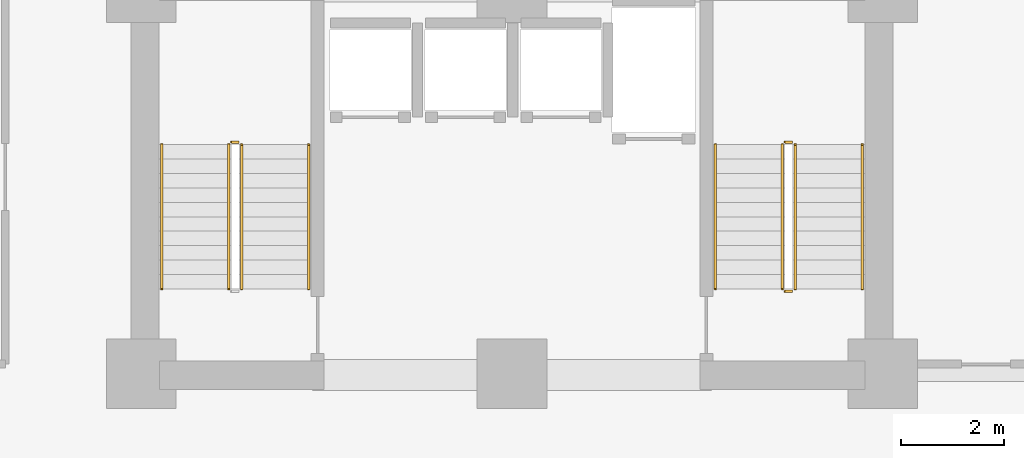
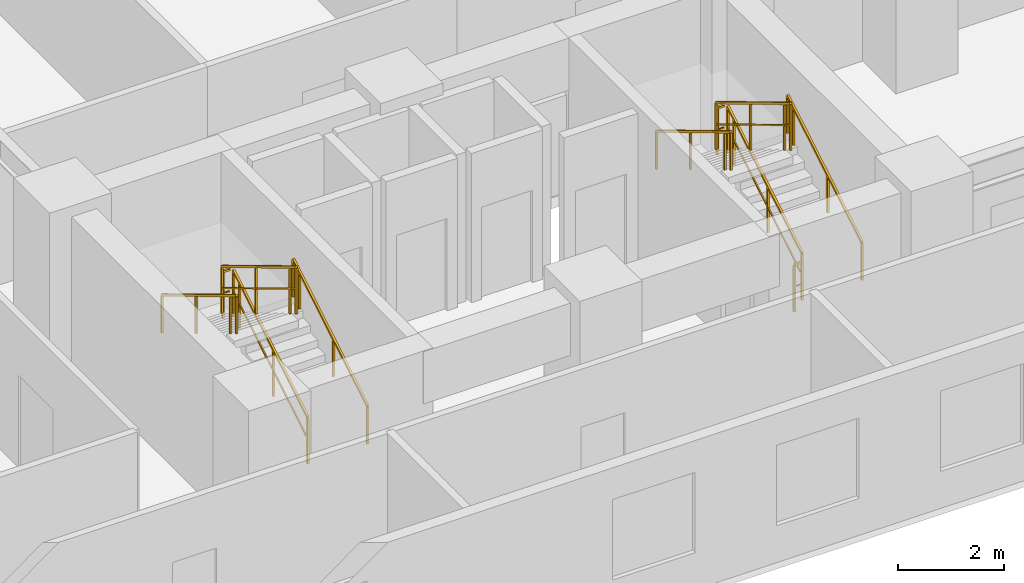
# One storey, part 16 of 17: 11 railings.
"""IFC4 building model written with IfcOpenShell, lengths in metres."""

from ifc_helpers import new_model, si_unit, direction, frame, origin, origin_2d, place, context, subcontext, project, spatial, rectangle, extrude, material, type_object, element, save


model = new_model("IFC4")

# Units and contexts
model_context = context("Model", 3, precision=1e-05, world=origin(), true_north=direction((0.0, 1.0)))
body_context = subcontext(model_context, "Body", "Model", "MODEL_VIEW")
ifc_project = project(units=[si_unit("LENGTHUNIT", "METRE"), si_unit("AREAUNIT", "SQUARE_METRE"), si_unit("VOLUMEUNIT", "CUBIC_METRE"), si_unit("PLANEANGLEUNIT", "RADIAN"), si_unit("MASSUNIT", "GRAM", prefix="KILO")], contexts=[model_context])

# Site, building, storey
site_placement = place(None, origin())
site = spatial("IfcSite", under=ifc_project, at=site_placement, CompositionType="ELEMENT")
building_placement = place(site_placement, origin())
building = spatial("IfcBuilding", under=site, at=building_placement, Name="Kaliganga Portal Commons", CompositionType="ELEMENT")
storey_placement = place(building_placement, frame((0.0, 0.0, 43.800048828125)))
storey = spatial("IfcBuildingStorey", under=building, at=storey_placement, Name="L10", CompositionType="ELEMENT", Elevation=43.800048828125)

# Railings
ifc_material_1 = material(Name="Galvanized Painted Steel Balustrade", Category="steel")
railing_type_1 = type_object("IfcRailingType", Name="RLG-STAIR-GRD", PredefinedType="GUARDRAIL", material=ifc_material_1)
railing_1_placement = place(storey_placement, frame((37.949951171875, 8.699951171875, 0.168212890625)))
element("IfcRailing", 1, at=railing_1_placement, inside=storey, type_object=railing_type_1, Name="L10 ST-B1 stair guard 1", PredefinedType="GUARDRAIL", context=body_context, shape_type="SweptSolid", body=[
    extrude(rectangle(XDim=0.048095703125, YDim=0.048095703125, at=origin_2d()), frame((0.0, 0.0, 1.072021484375), z_axis=(0.0, 0.857275202839, 0.514858452973), x_axis=(-1.0, 0.0, 0.0)), (0.0, 0.0, 1.0), 3.26611328125),
    extrude(rectangle(XDim=0.028076171875, YDim=0.028076171875, at=origin_2d()), frame((0.0, 0.0, 0.572021484375), z_axis=(0.0, 0.857275202839, 0.514858452973), x_axis=(-1.0, 0.0, 0.0)), (0.0, 0.0, 1.0), 3.26611328125),
    extrude(rectangle(XDim=0.0419921875, YDim=0.0419921875, at=origin_2d()), origin(), (0.0, 0.0, 1.0), 1.052001953125),
    extrude(rectangle(XDim=0.0419921875, YDim=0.0419921875, at=origin_2d()), frame((0.0, 1.285888671875, 0.772216796875)), (0.0, 0.0, 1.0), 1.052001953125),
    extrude(rectangle(XDim=0.0419921875, YDim=0.0419921875, at=origin_2d()), frame((0.0, 2.57177734375, 1.544677734375)), (0.0, 0.0, 1.0), 1.052001953125),
    extrude(rectangle(XDim=0.0419921875, YDim=0.0419921875, at=origin_2d()), frame((0.0, 2.800048828125, 1.681640625)), (0.0, 0.0, 1.0), 1.052001953125),
])
railing_2_placement = place(storey_placement, frame((37.89990234375, 11.550048828125, 1.849853515625)))
element("IfcRailing", 2, at=railing_2_placement, inside=storey, type_object=railing_type_1, Name="L10 ST-B1 stair guard 2", PredefinedType="GUARDRAIL", context=body_context, shape_type="SweptSolid", body=[
    extrude(rectangle(XDim=0.048095703125, YDim=0.048095703125, at=origin_2d()), frame((0.0, 0.0, 1.076171875), z_axis=(-1.0, 0.0, 0.0), x_axis=(0.0, -1.0, 0.0)), (0.0, 0.0, 1.0), 0.14990234375),
    extrude(rectangle(XDim=0.028076171875, YDim=0.028076171875, at=origin_2d()), frame((0.0, 0.0, 0.572021484375), z_axis=(-1.0, 0.0, 0.0), x_axis=(0.0, -1.0, 0.0)), (0.0, 0.0, 1.0), 0.14990234375),
    extrude(rectangle(XDim=0.0419921875, YDim=0.0419921875, at=origin_2d()), frame((-0.14990234375, 0.0, 0.0)), (0.0, 0.0, 1.0), 1.052001953125),
])
railing_3_placement = place(storey_placement, frame((37.699951171875, 11.5, 2.01806640625)))
element("IfcRailing", 3, at=railing_3_placement, inside=storey, type_object=railing_type_1, Name="L10 ST-B1 stair guard 3", PredefinedType="GUARDRAIL", context=body_context, shape_type="SweptSolid", body=[
    extrude(rectangle(XDim=0.048095703125, YDim=0.048095703125, at=origin_2d()), frame((0.0, 0.0, 1.072021484375), z_axis=(0.0, -0.857242210791, 0.514913383045), x_axis=(1.0, 0.0, 0.0)), (0.0, 0.0, 1.0), 3.266357421875),
    extrude(rectangle(XDim=0.028076171875, YDim=0.028076171875, at=origin_2d()), frame((0.0, 0.0, 0.572021484375), z_axis=(0.0, -0.857242210791, 0.514913383045), x_axis=(1.0, 0.0, 0.0)), (0.0, 0.0, 1.0), 3.266357421875),
    extrude(rectangle(XDim=0.0419921875, YDim=0.0419921875, at=origin_2d()), origin(), (0.0, 0.0, 1.0), 1.052001953125),
    extrude(rectangle(XDim=0.0419921875, YDim=0.0419921875, at=origin_2d()), frame((0.0, -1.285888671875, 0.7724609375)), (0.0, 0.0, 1.0), 1.052001953125),
    extrude(rectangle(XDim=0.0419921875, YDim=0.0419921875, at=origin_2d()), frame((0.0, -2.57177734375, 1.544677734375)), (0.0, 0.0, 1.0), 1.052001953125),
    extrude(rectangle(XDim=0.0419921875, YDim=0.0419921875, at=origin_2d()), frame((0.0, -2.800048828125, 1.681884765625)), (0.0, 0.0, 1.0), 1.052001953125),
])
railing_4_placement = place(storey_placement, frame((48.699951171875, 8.699951171875, 0.168212890625)))
element("IfcRailing", 4, at=railing_4_placement, inside=storey, type_object=railing_type_1, Name="L10 ST-B2 stair guard 1", PredefinedType="GUARDRAIL", context=body_context, shape_type="SweptSolid", body=[
    extrude(rectangle(XDim=0.048095703125, YDim=0.048095703125, at=origin_2d()), frame((0.0, 0.0, 1.072021484375), z_axis=(0.0, 0.857275202839, 0.514858452973), x_axis=(-1.0, 0.0, 0.0)), (0.0, 0.0, 1.0), 3.26611328125),
    extrude(rectangle(XDim=0.028076171875, YDim=0.028076171875, at=origin_2d()), frame((0.0, 0.0, 0.572021484375), z_axis=(0.0, 0.857275202839, 0.514858452973), x_axis=(-1.0, 0.0, 0.0)), (0.0, 0.0, 1.0), 3.26611328125),
    extrude(rectangle(XDim=0.0419921875, YDim=0.0419921875, at=origin_2d()), origin(), (0.0, 0.0, 1.0), 1.052001953125),
    extrude(rectangle(XDim=0.0419921875, YDim=0.0419921875, at=origin_2d()), frame((0.0, 1.285888671875, 0.772216796875)), (0.0, 0.0, 1.0), 1.052001953125),
    extrude(rectangle(XDim=0.0419921875, YDim=0.0419921875, at=origin_2d()), frame((0.0, 2.57177734375, 1.544677734375)), (0.0, 0.0, 1.0), 1.052001953125),
    extrude(rectangle(XDim=0.0419921875, YDim=0.0419921875, at=origin_2d()), frame((0.0, 2.800048828125, 1.681640625)), (0.0, 0.0, 1.0), 1.052001953125),
])
railing_5_placement = place(storey_placement, frame((48.64990234375, 11.550048828125, 1.849853515625)))
element("IfcRailing", 5, at=railing_5_placement, inside=storey, type_object=railing_type_1, Name="L10 ST-B2 stair guard 2", PredefinedType="GUARDRAIL", context=body_context, shape_type="SweptSolid", body=[
    extrude(rectangle(XDim=0.048095703125, YDim=0.048095703125, at=origin_2d()), frame((0.0, 0.0, 1.076171875), z_axis=(-1.0, 0.0, 0.0), x_axis=(0.0, -1.0, 0.0)), (0.0, 0.0, 1.0), 0.14990234375),
    extrude(rectangle(XDim=0.028076171875, YDim=0.028076171875, at=origin_2d()), frame((0.0, 0.0, 0.572021484375), z_axis=(-1.0, 0.0, 0.0), x_axis=(0.0, -1.0, 0.0)), (0.0, 0.0, 1.0), 0.14990234375),
    extrude(rectangle(XDim=0.0419921875, YDim=0.0419921875, at=origin_2d()), frame((-0.14990234375, 0.0, 0.0)), (0.0, 0.0, 1.0), 1.052001953125),
])
railing_6_placement = place(storey_placement, frame((48.449951171875, 11.5, 2.01806640625)))
element("IfcRailing", 6, at=railing_6_placement, inside=storey, type_object=railing_type_1, Name="L10 ST-B2 stair guard 3", PredefinedType="GUARDRAIL", context=body_context, shape_type="SweptSolid", body=[
    extrude(rectangle(XDim=0.048095703125, YDim=0.048095703125, at=origin_2d()), frame((0.0, 0.0, 1.072021484375), z_axis=(0.0, -0.857242210791, 0.514913383045), x_axis=(1.0, 0.0, 0.0)), (0.0, 0.0, 1.0), 3.266357421875),
    extrude(rectangle(XDim=0.028076171875, YDim=0.028076171875, at=origin_2d()), frame((0.0, 0.0, 0.572021484375), z_axis=(0.0, -0.857242210791, 0.514913383045), x_axis=(1.0, 0.0, 0.0)), (0.0, 0.0, 1.0), 3.266357421875),
    extrude(rectangle(XDim=0.0419921875, YDim=0.0419921875, at=origin_2d()), origin(), (0.0, 0.0, 1.0), 1.052001953125),
    extrude(rectangle(XDim=0.0419921875, YDim=0.0419921875, at=origin_2d()), frame((0.0, -1.285888671875, 0.7724609375)), (0.0, 0.0, 1.0), 1.052001953125),
    extrude(rectangle(XDim=0.0419921875, YDim=0.0419921875, at=origin_2d()), frame((0.0, -2.57177734375, 1.544677734375)), (0.0, 0.0, 1.0), 1.052001953125),
    extrude(rectangle(XDim=0.0419921875, YDim=0.0419921875, at=origin_2d()), frame((0.0, -2.800048828125, 1.681884765625)), (0.0, 0.0, 1.0), 1.052001953125),
])
railing_7_placement = place(storey_placement, frame((48.64990234375, 8.64990234375, 0.0)))
element("IfcRailing", 7, at=railing_7_placement, inside=storey, type_object=railing_type_1, Name="L10 ST-B2 stair guard 4", PredefinedType="GUARDRAIL", context=body_context, shape_type="SweptSolid", body=[
    extrude(rectangle(XDim=0.048095703125, YDim=0.048095703125, at=origin_2d()), frame((0.0, 0.0, 1.076171875), z_axis=(-1.0, 0.0, 0.0), x_axis=(0.0, -1.0, 0.0)), (0.0, 0.0, 1.0), 0.14990234375),
    extrude(rectangle(XDim=0.028076171875, YDim=0.028076171875, at=origin_2d()), frame((0.0, 0.0, 0.572021484375), z_axis=(-1.0, 0.0, 0.0), x_axis=(0.0, -1.0, 0.0)), (0.0, 0.0, 1.0), 0.14990234375),
    extrude(rectangle(XDim=0.0419921875, YDim=0.0419921875, at=origin_2d()), frame((-0.14990234375, 0.0, 0.0)), (0.0, 0.0, 1.0), 1.052001953125),
])
ifc_material_2 = material(Name="Brushed Stainless Steel 316", Category="steel")
railing_type_2 = type_object("IfcRailingType", Name="RLG-STAIR-HR", PredefinedType="HANDRAIL", material=ifc_material_2)
railing_8_placement = place(storey_placement, frame((39.25, 8.699951171875, 0.168212890625)))
element("IfcRailing", 8, at=railing_8_placement, inside=storey, type_object=railing_type_2, Name="L10 ST-B1 stair handrail 1", PredefinedType="HANDRAIL", context=body_context, shape_type="SweptSolid", body=[
    extrude(rectangle(XDim=0.048095703125, YDim=0.048095703125, at=origin_2d()), frame((0.0, 0.0, 0.871826171875), z_axis=(0.0, 0.857275202839, 0.514858452973), x_axis=(-1.0, 0.0, 0.0)), (0.0, 0.0, 1.0), 3.26611328125),
    extrude(rectangle(XDim=0.0419921875, YDim=0.0419921875, at=origin_2d()), origin(), (0.0, 0.0, 1.0), 0.851806640625),
    extrude(rectangle(XDim=0.0419921875, YDim=0.0419921875, at=origin_2d()), frame((0.0, 1.285888671875, 0.772216796875)), (0.0, 0.0, 1.0), 0.851806640625),
    extrude(rectangle(XDim=0.0419921875, YDim=0.0419921875, at=origin_2d()), frame((0.0, 2.57177734375, 1.544677734375)), (0.0, 0.0, 1.0), 0.851806640625),
    extrude(rectangle(XDim=0.0419921875, YDim=0.0419921875, at=origin_2d()), frame((0.0, 2.800048828125, 1.681640625)), (0.0, 0.0, 1.0), 0.851806640625),
])
railing_9_placement = place(storey_placement, frame((36.39990234375, 11.5, 2.01806640625)))
element("IfcRailing", 9, at=railing_9_placement, inside=storey, type_object=railing_type_2, Name="L10 ST-B1 stair handrail 2", PredefinedType="HANDRAIL", context=body_context, shape_type="SweptSolid", body=[
    extrude(rectangle(XDim=0.048095703125, YDim=0.048095703125, at=origin_2d()), frame((0.0, 0.0, 0.871826171875), z_axis=(0.0, -0.857242210791, 0.514913383045), x_axis=(1.0, 0.0, 0.0)), (0.0, 0.0, 1.0), 3.266357421875),
    extrude(rectangle(XDim=0.0419921875, YDim=0.0419921875, at=origin_2d()), origin(), (0.0, 0.0, 1.0), 0.851806640625),
    extrude(rectangle(XDim=0.0419921875, YDim=0.0419921875, at=origin_2d()), frame((0.0, -1.285888671875, 0.7724609375)), (0.0, 0.0, 1.0), 0.851806640625),
    extrude(rectangle(XDim=0.0419921875, YDim=0.0419921875, at=origin_2d()), frame((0.0, -2.57177734375, 1.544677734375)), (0.0, 0.0, 1.0), 0.851806640625),
    extrude(rectangle(XDim=0.0419921875, YDim=0.0419921875, at=origin_2d()), frame((0.0, -2.800048828125, 1.681884765625)), (0.0, 0.0, 1.0), 0.851806640625),
])
railing_10_placement = place(storey_placement, frame((50.0, 8.699951171875, 0.168212890625)))
element("IfcRailing", 10, at=railing_10_placement, inside=storey, type_object=railing_type_2, Name="L10 ST-B2 stair handrail 1", PredefinedType="HANDRAIL", context=body_context, shape_type="SweptSolid", body=[
    extrude(rectangle(XDim=0.048095703125, YDim=0.048095703125, at=origin_2d()), frame((0.0, 0.0, 0.871826171875), z_axis=(0.0, 0.857275202839, 0.514858452973), x_axis=(-1.0, 0.0, 0.0)), (0.0, 0.0, 1.0), 3.26611328125),
    extrude(rectangle(XDim=0.0419921875, YDim=0.0419921875, at=origin_2d()), origin(), (0.0, 0.0, 1.0), 0.851806640625),
    extrude(rectangle(XDim=0.0419921875, YDim=0.0419921875, at=origin_2d()), frame((0.0, 1.285888671875, 0.772216796875)), (0.0, 0.0, 1.0), 0.851806640625),
    extrude(rectangle(XDim=0.0419921875, YDim=0.0419921875, at=origin_2d()), frame((0.0, 2.57177734375, 1.544677734375)), (0.0, 0.0, 1.0), 0.851806640625),
    extrude(rectangle(XDim=0.0419921875, YDim=0.0419921875, at=origin_2d()), frame((0.0, 2.800048828125, 1.681640625)), (0.0, 0.0, 1.0), 0.851806640625),
])
railing_11_placement = place(storey_placement, frame((47.14990234375, 11.5, 2.01806640625)))
element("IfcRailing", 11, at=railing_11_placement, inside=storey, type_object=railing_type_2, Name="L10 ST-B2 stair handrail 2", PredefinedType="HANDRAIL", context=body_context, shape_type="SweptSolid", body=[
    extrude(rectangle(XDim=0.048095703125, YDim=0.048095703125, at=origin_2d()), frame((0.0, 0.0, 0.871826171875), z_axis=(0.0, -0.857242210791, 0.514913383045), x_axis=(1.0, 0.0, 0.0)), (0.0, 0.0, 1.0), 3.266357421875),
    extrude(rectangle(XDim=0.0419921875, YDim=0.0419921875, at=origin_2d()), origin(), (0.0, 0.0, 1.0), 0.851806640625),
    extrude(rectangle(XDim=0.0419921875, YDim=0.0419921875, at=origin_2d()), frame((0.0, -1.285888671875, 0.7724609375)), (0.0, 0.0, 1.0), 0.851806640625),
    extrude(rectangle(XDim=0.0419921875, YDim=0.0419921875, at=origin_2d()), frame((0.0, -2.57177734375, 1.544677734375)), (0.0, 0.0, 1.0), 0.851806640625),
    extrude(rectangle(XDim=0.0419921875, YDim=0.0419921875, at=origin_2d()), frame((0.0, -2.800048828125, 1.681884765625)), (0.0, 0.0, 1.0), 0.851806640625),
])

save(model, "model.ifc")
